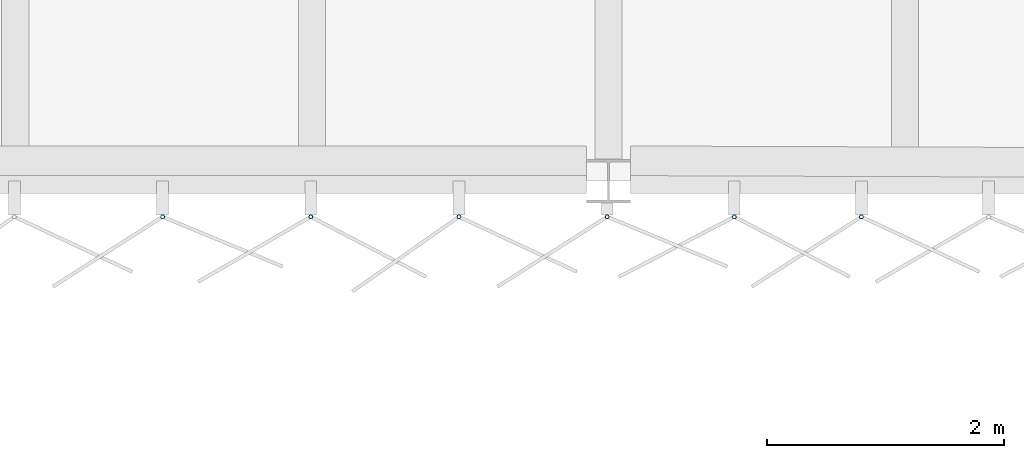
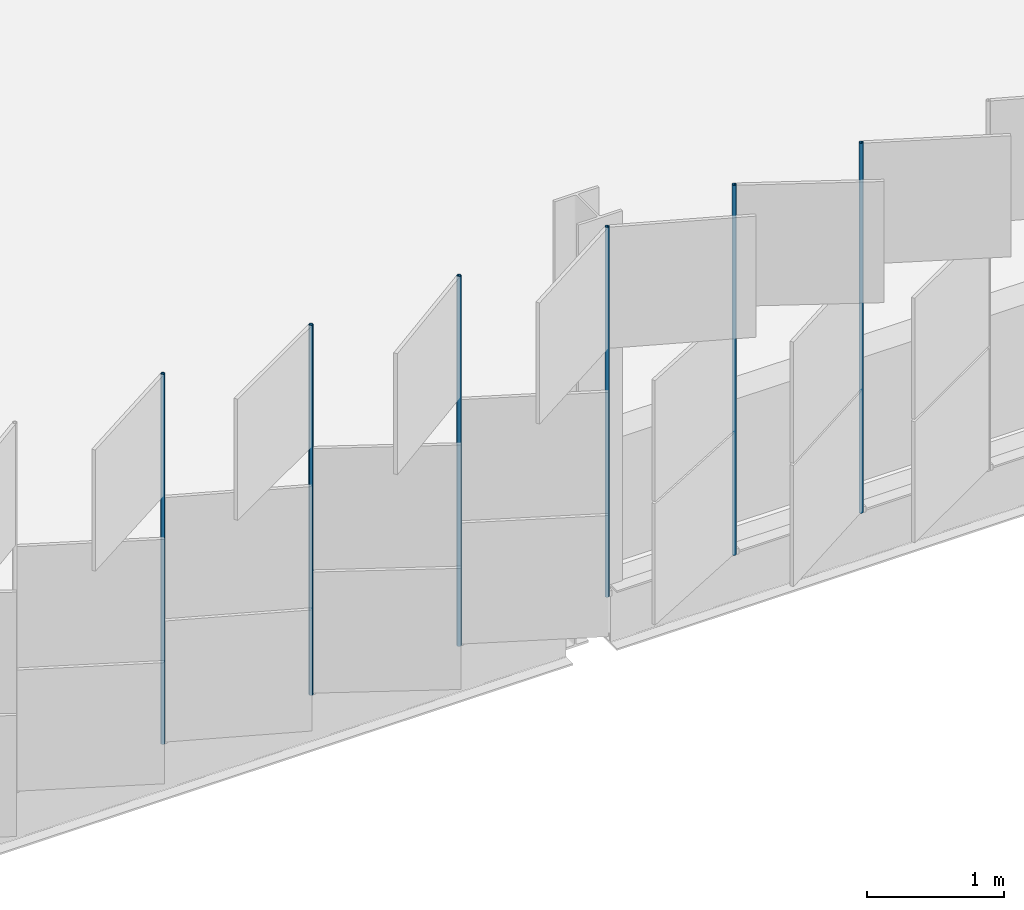
# One storey, part 76 of 198: 6 discrete accessories.
"""IFC4 building model written with IfcOpenShell, lengths in metres."""

from ifc_helpers import new_model, si_unit, direction, frame, origin, origin_2d, place, context, subcontext, project, spatial, hollow_circle, extrude, material, material_profile, profile_set, type_object, element, save


model = new_model("IFC4")

# Units and contexts
model_context = context("Model", 3, precision=1e-05, world=origin(), true_north=direction((0.0, 1.0)))
body_context = subcontext(model_context, "Body", "Model", "MODEL_VIEW")
ifc_project = project(units=[si_unit("LENGTHUNIT", "METRE"), si_unit("AREAUNIT", "SQUARE_METRE"), si_unit("VOLUMEUNIT", "CUBIC_METRE"), si_unit("PLANEANGLEUNIT", "RADIAN"), si_unit("MASSUNIT", "GRAM", prefix="KILO")], contexts=[model_context])

# Site, building, storey
site_placement = place(None, origin())
site = spatial("IfcSite", under=ifc_project, at=site_placement, CompositionType="ELEMENT")
building_placement = place(site_placement, origin())
building = spatial("IfcBuilding", under=site, at=building_placement, Name="Parallax Yard Mobility Hub", CompositionType="ELEMENT")
storey_placement = place(building_placement, frame((0.0, 0.0, 6.60009765625)))
storey = spatial("IfcBuildingStorey", under=building, at=storey_placement, Name="L02", CompositionType="ELEMENT", Elevation=6.60009765625)

# Discrete accessories
ifc_material = material(Name="Steel ASTM A500 Gr C, hot-dip galvanised", Category="steel")
ifc_material_profile = material_profile(ifc_material, hollow_circle(Radius=0.016845703125, WallThickness=0.003173828125, at=origin_2d()), Name="CHS 33.7x3.2")
ifc_profile_set = profile_set([ifc_material_profile], Name="Steel ASTM A500 Gr C, hot-dip galvanised")
discrete_accessory_type = type_object("IfcDiscreteAccessoryType", Name="Hinge post CHS 33.7x3.2", PredefinedType="BRACKET", material=ifc_profile_set)
for number, where, z_axis, x_axis, name in (
    (1, (86.24169921875, 112.199951171875, 0.0), (0.0, 0.0, 1.0), (1.0, 0.0, 0.0), "Hinge post bay 7.4 level L02"),
    (2, (87.490966796875, 112.199951171875, 0.0), (0.0, 0.0, 1.0), (1.0, 0.0, 0.0), "Hinge post bay 7.5 level L02"),
    (3, (88.739990234375, 112.199951171875, 0.0), (0.0, 0.0, 1.0), (1.0, 0.0, 0.0), "Hinge post bay 7.6 level L02"),
    (4, (89.989501953125, 112.199951171875, 0.0), (0.0, 0.0, 1.0), (1.0, 0.0, 0.0), "Hinge post bay 8.1 level L02"),
    (5, (91.060791015625, 112.199951171875, 0.0), (0.0, 0.0, 1.0), (1.0, 0.0, 0.0), "Hinge post bay 8.2 level L02"),
    (6, (92.13232421875, 112.199951171875, 0.0), (0.0, 0.0, 1.0), (1.0, 0.0, 0.0), "Hinge post bay 8.3 level L02"),
):
    element("IfcDiscreteAccessory", number, at=place(storey_placement, frame(where, z_axis=z_axis, x_axis=x_axis)), inside=storey, type_object=discrete_accessory_type, Name=name, PredefinedType="BRACKET", context=body_context, shape_type="SweptSolid", body=[
        extrude(hollow_circle(Radius=0.016845703125, WallThickness=0.003173828125, at=origin_2d()), origin(), (0.0, 0.0, 1.0), 3.2998046875),
    ])

save(model, "model.ifc")
